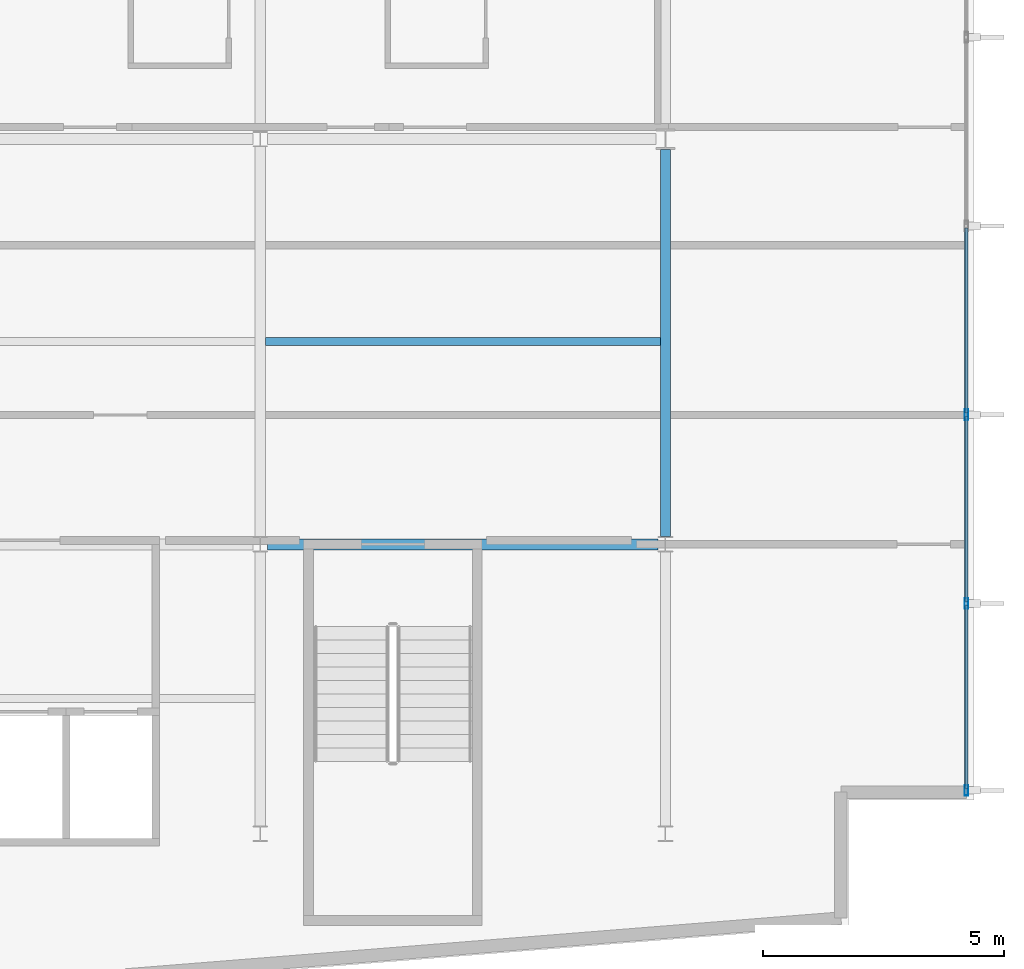
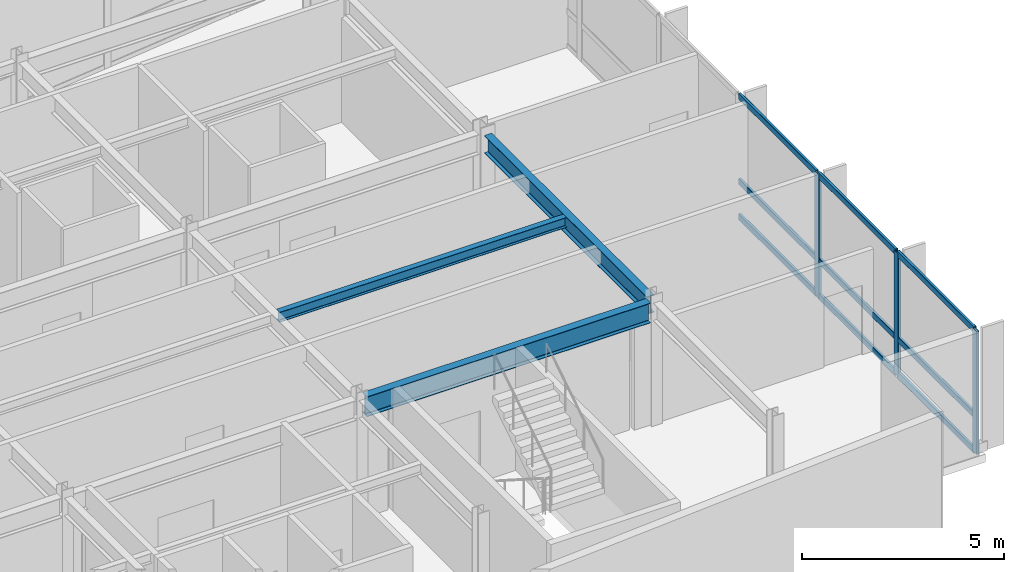
# One storey, part 5 of 18: 12 members, 3 beams, 1 element without a shape of its own.
"""IFC4 building model written with IfcOpenShell, lengths in metres."""

from ifc_helpers import new_model, si_unit, direction, frame, origin, origin_2d, place, context, subcontext, project, spatial, hollow_rectangle, i_section, extrude, material, layer, layer_set, material_profile, profile_set, type_object, element, aggregate, save


model = new_model("IFC4")

# Units and contexts
model_context = context("Model", 3, precision=1e-05, world=origin(), true_north=direction((0.0, 1.0)))
body_context = subcontext(model_context, "Body", "Model", "MODEL_VIEW")
ifc_project = project(units=[si_unit("LENGTHUNIT", "METRE"), si_unit("AREAUNIT", "SQUARE_METRE"), si_unit("VOLUMEUNIT", "CUBIC_METRE"), si_unit("PLANEANGLEUNIT", "RADIAN"), si_unit("MASSUNIT", "GRAM", prefix="KILO")], contexts=[model_context])

# Site, building, storey
site_placement = place(None, origin())
site = spatial("IfcSite", under=ifc_project, at=site_placement, CompositionType="ELEMENT")
building_placement = place(site_placement, origin())
building = spatial("IfcBuilding", under=site, at=building_placement, Name="Varnakote Quay Hospital", CompositionType="ELEMENT")
storey_placement = place(building_placement, frame((0.0, 0.0, 142.85009765625)))
storey = spatial("IfcBuildingStorey", under=building, at=storey_placement, Name="L35", CompositionType="ELEMENT", Elevation=142.85009765625)

# Beams
ifc_material_1 = material(Name="Structural steel AS/NZS 3679.1 Grade 350 L0 (fy 340 MPa)", Category="steel")
ifc_material_profile_1 = material_profile(ifc_material_1, i_section(OverallWidth=0.208984375, OverallDepth=0.532958984375, WebThickness=0.01025390625, FlangeThickness=0.015625, FilletRadius=0.013916015625, at=origin_2d()), Name="530UB92.4")
ifc_profile_set_1 = profile_set([ifc_material_profile_1], Name="Structural steel AS/NZS 3679.1 Grade 350 L0 (fy 340 MPa)")
beam_type_1 = type_object("IfcBeamType", Name="BM-STL-530UB92-4", PredefinedType="BEAM", material=ifc_profile_set_1)
beam_1_placement = place(storey_placement, frame((50.39990234375, 12.157470703125, 3.443359375), z_axis=(0.0, 1.0, 0.0), x_axis=(-1.0, 0.0, 0.0)))
element("IfcBeam", 1, at=beam_1_placement, inside=storey, type_object=beam_type_1, Name="L35 Primary Tie Beam", PredefinedType="BEAM", context=body_context, shape_type="SweptSolid", body=[
    extrude(i_section(OverallWidth=0.208984375, OverallDepth=0.532958984375, WebThickness=0.01025390625, FlangeThickness=0.015625, FilletRadius=0.013916015625, at=origin_2d()), origin(), (0.0, 0.0, 1.0), 8.032470703125),
])
ifc_material_2 = material(Name="Structural steel AS/NZS 3679.1 Grade 350 L0 (fy 340 MPa)", Category="steel")
ifc_material_profile_2 = material_profile(ifc_material_2, i_section(OverallWidth=0.22802734375, OverallDepth=0.60205078125, WebThickness=0.010498046875, FlangeThickness=0.014892578125, FilletRadius=0.013916015625, at=origin_2d()), Name="610UB101")
ifc_profile_set_2 = profile_set([ifc_material_profile_2], Name="Structural steel AS/NZS 3679.1 Grade 350 L0 (fy 340 MPa)")
beam_type_2 = type_object("IfcBeamType", Name="BM-STL-610UB101", PredefinedType="BEAM", material=ifc_profile_set_2)
beam_2_placement = place(storey_placement, frame((42.153564453125, 12.0, 3.408935546875), z_axis=(1.0, 0.0, 0.0), x_axis=(0.0, 1.0, 0.0)))
element("IfcBeam", 2, at=beam_2_placement, inside=storey, type_object=beam_type_2, Name="L35 Primary Floor Beam", PredefinedType="BEAM", context=body_context, shape_type="SweptSolid", body=[
    extrude(i_section(OverallWidth=0.22802734375, OverallDepth=0.60205078125, WebThickness=0.010498046875, FlangeThickness=0.014892578125, FilletRadius=0.013916015625, at=origin_2d()), origin(), (0.0, 0.0, 1.0), 8.093017578125),
])

# Curtain wall, members
ifc_material_3 = material(Name="Anodised aluminium 6063-T6 Bronze", Category="aluminium")
ifc_layer = layer(ifc_material_3, 0.205078125)
ifc_layer_set = layer_set([ifc_layer], Name="Anodised aluminium 6063-T6 Bronze")
curtain_wall_type = type_object("IfcCurtainWallType", Name="CW-SYS-3", PredefinedType="NOTDEFINED", material=ifc_layer_set)
curtain_wall_placement = place(storey_placement, origin())
curtain_wall = element("IfcCurtainWall", 3, at=curtain_wall_placement, inside=storey, type_object=curtain_wall_type, Name="L35 Unitised Bronze Curtain Wall 1", PredefinedType="NOTDEFINED")
ifc_material_4 = material(Name="Anodised aluminium 6063-T6 Bronze", Category="aluminium")
ifc_material_profile_3 = material_profile(ifc_material_4, hollow_rectangle(XDim=0.074951171875, YDim=0.219970703125, WallThickness=0.00439453125, InnerFilletRadius=0.00439453125, OuterFilletRadius=0.009033203125, at=origin_2d()), Name="CW-MULL-220x75")
ifc_profile_set_3 = profile_set([ifc_material_profile_3], Name="Anodised aluminium 6063-T6 Bronze")
member_type_1 = type_object("IfcMemberType", Name="CW-MULL-220x75", PredefinedType="MULLION", material=ifc_profile_set_3)
member_1_placement = place(storey_placement, frame((56.639892578125, 6.8974609375, 0.0), z_axis=(0.0, 0.0, 1.0), x_axis=(-1.0, 0.0, 0.0)))
member_1 = element("IfcMember", 4, at=member_1_placement, type_object=member_type_1, Name="-3-L35-1 mullion 1", PredefinedType="MULLION", context=body_context, shape_type="SweptSolid", body=[
    extrude(hollow_rectangle(XDim=0.074951171875, YDim=0.219970703125, WallThickness=0.00439453125, InnerFilletRadius=0.00439453125, OuterFilletRadius=0.009033203125, at=origin_2d()), origin(), (0.0, 0.0, 1.0), 3.7099609375),
])
member_2_placement = place(storey_placement, frame((56.639892578125, 10.7734375, 0.0), z_axis=(0.0, 0.0, 1.0), x_axis=(-1.0, 0.0, 0.0)))
member_2 = element("IfcMember", 5, at=member_2_placement, type_object=member_type_1, Name="-3-L35-1 mullion 2", PredefinedType="MULLION", context=body_context, shape_type="SweptSolid", body=[
    extrude(hollow_rectangle(XDim=0.074951171875, YDim=0.219970703125, WallThickness=0.00439453125, InnerFilletRadius=0.00439453125, OuterFilletRadius=0.009033203125, at=origin_2d()), origin(), (0.0, 0.0, 1.0), 3.7099609375),
])
member_3_placement = place(storey_placement, frame((56.639892578125, 14.686767578125, 0.0), z_axis=(0.0, 0.0, 1.0), x_axis=(-1.0, 0.0, 0.0)))
member_3 = element("IfcMember", 6, at=member_3_placement, type_object=member_type_1, Name="-3-L35-1 mullion 3", PredefinedType="MULLION", context=body_context, shape_type="SweptSolid", body=[
    extrude(hollow_rectangle(XDim=0.074951171875, YDim=0.219970703125, WallThickness=0.00439453125, InnerFilletRadius=0.00439453125, OuterFilletRadius=0.009033203125, at=origin_2d()), origin(), (0.0, 0.0, 1.0), 3.7099609375),
])
ifc_material_5 = material(Name="Anodised aluminium 6063-T6 Bronze", Category="aluminium")
ifc_material_profile_4 = material_profile(ifc_material_5, hollow_rectangle(XDim=0.074951171875, YDim=0.179931640625, WallThickness=0.004150390625, InnerFilletRadius=0.004150390625, OuterFilletRadius=0.00830078125, at=origin_2d()), Name="CW-TRAN-180x75")
ifc_profile_set_4 = profile_set([ifc_material_profile_4], Name="Anodised aluminium 6063-T6 Bronze")
member_type_2 = type_object("IfcMemberType", Name="CW-TRAN-180x75", PredefinedType="USERDEFINED", material=ifc_profile_set_4)
member_4_placement = place(storey_placement, frame((56.639892578125, 6.93505859375, 0.037353515625), z_axis=(0.0, 1.0, 0.0), x_axis=(-1.0, 0.0, 0.0)))
member_4 = element("IfcMember", 7, at=member_4_placement, type_object=member_type_2, Name="-3-L35-1 transom 1.1", ObjectType="TRANSOM", PredefinedType="USERDEFINED", context=body_context, shape_type="SweptSolid", body=[
    extrude(hollow_rectangle(XDim=0.074951171875, YDim=0.179931640625, WallThickness=0.004150390625, InnerFilletRadius=0.004150390625, OuterFilletRadius=0.00830078125, at=origin_2d()), origin(), (0.0, 0.0, 1.0), 3.80078125),
])
member_5_placement = place(storey_placement, frame((56.639892578125, 6.93505859375, 1.099853515625), z_axis=(0.0, 1.0, 0.0), x_axis=(-1.0, 0.0, 0.0)))
member_5 = element("IfcMember", 8, at=member_5_placement, type_object=member_type_2, Name="-3-L35-1 transom 1.2", ObjectType="TRANSOM", PredefinedType="USERDEFINED", context=body_context, shape_type="SweptSolid", body=[
    extrude(hollow_rectangle(XDim=0.074951171875, YDim=0.179931640625, WallThickness=0.004150390625, InnerFilletRadius=0.004150390625, OuterFilletRadius=0.00830078125, at=origin_2d()), origin(), (0.0, 0.0, 1.0), 3.80078125),
])
member_6_placement = place(storey_placement, frame((56.639892578125, 6.93505859375, 3.67236328125), z_axis=(0.0, 1.0, 0.0), x_axis=(-1.0, 0.0, 0.0)))
member_6 = element("IfcMember", 9, at=member_6_placement, type_object=member_type_2, Name="-3-L35-1 transom 1.3", ObjectType="TRANSOM", PredefinedType="USERDEFINED", context=body_context, shape_type="SweptSolid", body=[
    extrude(hollow_rectangle(XDim=0.074951171875, YDim=0.179931640625, WallThickness=0.004150390625, InnerFilletRadius=0.004150390625, OuterFilletRadius=0.00830078125, at=origin_2d()), origin(), (0.0, 0.0, 1.0), 3.80078125),
])
member_7_placement = place(storey_placement, frame((56.639892578125, 10.810791015625, 0.037353515625), z_axis=(0.0, 1.0, 0.0), x_axis=(-1.0, 0.0, 0.0)))
member_7 = element("IfcMember", 10, at=member_7_placement, type_object=member_type_2, Name="-3-L35-1 transom 2.1", ObjectType="TRANSOM", PredefinedType="USERDEFINED", context=body_context, shape_type="SweptSolid", body=[
    extrude(hollow_rectangle(XDim=0.074951171875, YDim=0.179931640625, WallThickness=0.004150390625, InnerFilletRadius=0.004150390625, OuterFilletRadius=0.00830078125, at=origin_2d()), origin(), (0.0, 0.0, 1.0), 3.83837890625),
])
member_8_placement = place(storey_placement, frame((56.639892578125, 10.810791015625, 1.099853515625), z_axis=(0.0, 1.0, 0.0), x_axis=(-1.0, 0.0, 0.0)))
member_8 = element("IfcMember", 11, at=member_8_placement, type_object=member_type_2, Name="-3-L35-1 transom 2.2", ObjectType="TRANSOM", PredefinedType="USERDEFINED", context=body_context, shape_type="SweptSolid", body=[
    extrude(hollow_rectangle(XDim=0.074951171875, YDim=0.179931640625, WallThickness=0.004150390625, InnerFilletRadius=0.004150390625, OuterFilletRadius=0.00830078125, at=origin_2d()), origin(), (0.0, 0.0, 1.0), 3.83837890625),
])
member_9_placement = place(storey_placement, frame((56.639892578125, 10.810791015625, 3.67236328125), z_axis=(0.0, 1.0, 0.0), x_axis=(-1.0, 0.0, 0.0)))
member_9 = element("IfcMember", 12, at=member_9_placement, type_object=member_type_2, Name="-3-L35-1 transom 2.3", ObjectType="TRANSOM", PredefinedType="USERDEFINED", context=body_context, shape_type="SweptSolid", body=[
    extrude(hollow_rectangle(XDim=0.074951171875, YDim=0.179931640625, WallThickness=0.004150390625, InnerFilletRadius=0.004150390625, OuterFilletRadius=0.00830078125, at=origin_2d()), origin(), (0.0, 0.0, 1.0), 3.83837890625),
])
member_10_placement = place(storey_placement, frame((56.639892578125, 14.72412109375, 0.037353515625), z_axis=(0.0, 1.0, 0.0), x_axis=(-1.0, 0.0, 0.0)))
member_10 = element("IfcMember", 13, at=member_10_placement, type_object=member_type_2, Name="-3-L35-1 transom 3.1", ObjectType="TRANSOM", PredefinedType="USERDEFINED", context=body_context, shape_type="SweptSolid", body=[
    extrude(hollow_rectangle(XDim=0.074951171875, YDim=0.179931640625, WallThickness=0.004150390625, InnerFilletRadius=0.004150390625, OuterFilletRadius=0.00830078125, at=origin_2d()), origin(), (0.0, 0.0, 1.0), 3.83837890625),
])
member_11_placement = place(storey_placement, frame((56.639892578125, 14.72412109375, 1.099853515625), z_axis=(0.0, 1.0, 0.0), x_axis=(-1.0, 0.0, 0.0)))
member_11 = element("IfcMember", 14, at=member_11_placement, type_object=member_type_2, Name="-3-L35-1 transom 3.2", ObjectType="TRANSOM", PredefinedType="USERDEFINED", context=body_context, shape_type="SweptSolid", body=[
    extrude(hollow_rectangle(XDim=0.074951171875, YDim=0.179931640625, WallThickness=0.004150390625, InnerFilletRadius=0.004150390625, OuterFilletRadius=0.00830078125, at=origin_2d()), origin(), (0.0, 0.0, 1.0), 3.83837890625),
])
member_12_placement = place(storey_placement, frame((56.639892578125, 14.72412109375, 3.67236328125), z_axis=(0.0, 1.0, 0.0), x_axis=(-1.0, 0.0, 0.0)))
member_12 = element("IfcMember", 15, at=member_12_placement, type_object=member_type_2, Name="-3-L35-1 transom 3.3", ObjectType="TRANSOM", PredefinedType="USERDEFINED", context=body_context, shape_type="SweptSolid", body=[
    extrude(hollow_rectangle(XDim=0.074951171875, YDim=0.179931640625, WallThickness=0.004150390625, InnerFilletRadius=0.004150390625, OuterFilletRadius=0.00830078125, at=origin_2d()), origin(), (0.0, 0.0, 1.0), 3.83837890625),
])
aggregate(curtain_wall, [member_1, member_2, member_3, member_4, member_5, member_6, member_7, member_8, member_9, member_10, member_11, member_12])

# Beam
ifc_material_6 = material(Name="Structural steel AS/NZS 3679.1 Grade 350 L0 (fy 340 MPa)", Category="steel")
ifc_material_profile_5 = material_profile(ifc_material_6, i_section(OverallWidth=0.1650390625, OverallDepth=0.303955078125, WebThickness=0.006103515625, FlangeThickness=0.01025390625, FilletRadius=0.011474609375, at=origin_2d()), Name="310UB40.4")
ifc_profile_set_5 = profile_set([ifc_material_profile_5], Name="Structural steel AS/NZS 3679.1 Grade 350 L0 (fy 340 MPa)")
beam_type_3 = type_object("IfcBeamType", Name="JST-STL-310UB40-4", PredefinedType="JOIST", material=ifc_profile_set_5)
beam_3_placement = place(storey_placement, frame((42.1044921875, 16.199951171875, 3.557861328125), z_axis=(1.0, 0.0, 0.0), x_axis=(0.0, 1.0, 0.0)))
element("IfcBeam", 16, at=beam_3_placement, inside=storey, type_object=beam_type_3, Name="L35 Composite Floor Joist", PredefinedType="JOIST", context=body_context, shape_type="SweptSolid", body=[
    extrude(i_section(OverallWidth=0.1650390625, OverallDepth=0.303955078125, WebThickness=0.006103515625, FlangeThickness=0.01025390625, FilletRadius=0.011474609375, at=origin_2d()), origin(), (0.0, 0.0, 1.0), 8.19091796875),
])

save(model, "model.ifc")
